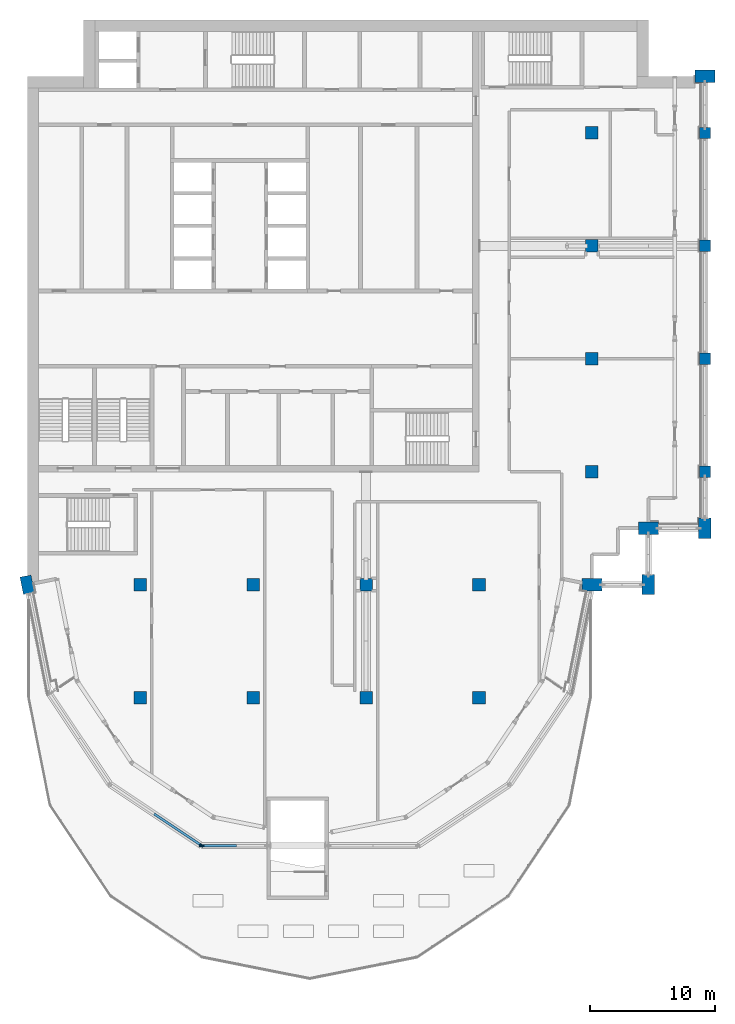
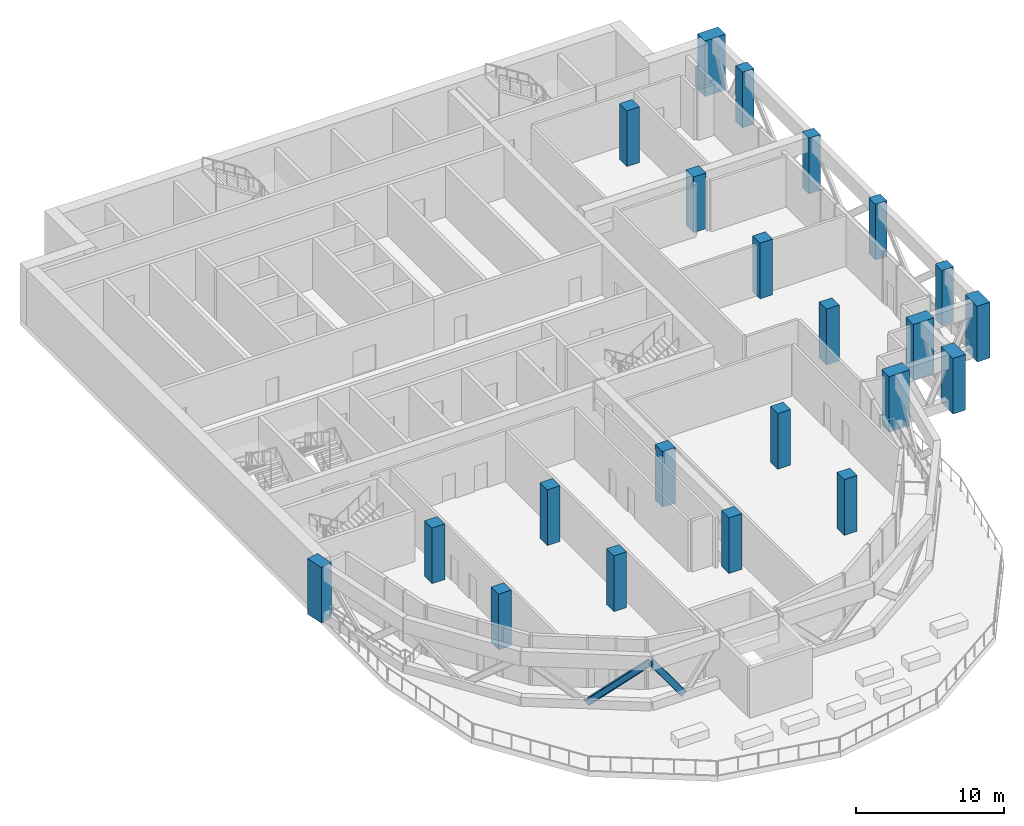
# One storey, part 1 of 18: 22 columns, 2 members.
"""IFC4 building model written with IfcOpenShell, lengths in metres."""

from ifc_helpers import new_model, si_unit, direction, frame, origin, origin_2d, place, context, subcontext, project, spatial, rectangle, i_section, extrude, material, material_profile, profile_set, type_object, element, save


model = new_model("IFC4")

# Units and contexts
model_context = context("Model", 3, precision=1e-05, world=origin(), true_north=direction((0.0, 1.0)))
body_context = subcontext(model_context, "Body", "Model", "MODEL_VIEW")
ifc_project = project(units=[si_unit("LENGTHUNIT", "METRE"), si_unit("AREAUNIT", "SQUARE_METRE"), si_unit("VOLUMEUNIT", "CUBIC_METRE"), si_unit("PLANEANGLEUNIT", "RADIAN"), si_unit("MASSUNIT", "GRAM", prefix="KILO")], contexts=[model_context])

# Site, building, storey
site_placement = place(None, origin())
site = spatial("IfcSite", under=ifc_project, at=site_placement, CompositionType="ELEMENT")
building_placement = place(site_placement, origin())
building = spatial("IfcBuilding", under=site, at=building_placement, Name="Hunhe Ridgeline Campus", CompositionType="ELEMENT")
storey_placement = place(building_placement, frame((0.0, 0.0, 276.199951171875)))
storey = spatial("IfcBuildingStorey", under=building, at=storey_placement, Name="L71", CompositionType="ELEMENT", Elevation=276.199951171875)

# Columns
ifc_material_1 = material(Name="Concrete C50", Category="concrete")
ifc_material_profile_1 = material_profile(ifc_material_1, rectangle(XDim=1.39990234375, YDim=0.89990234375, at=origin_2d()))
ifc_profile_set_1 = profile_set([ifc_material_profile_1], Name="Concrete C50")
column_type_1 = type_object("IfcColumnType", Name="Megacolumn 1400x900 Concrete C50", PredefinedType="COLUMN", material=ifc_profile_set_1)
column_placement = place(storey_placement, frame((0.0, 54.0, 0.0), z_axis=(0.0, 0.0, 1.0), x_axis=(-0.195090322016, 0.980785280403, 0.0)))
element("IfcColumn", 1, at=column_placement, inside=storey, type_object=column_type_1, Name="Column C16 G1 L71", PredefinedType="COLUMN", context=body_context, shape_type="SweptSolid", body=[
    extrude(rectangle(XDim=1.39990234375, YDim=0.89990234375, at=origin_2d()), origin(), (0.0, 0.0, 1.0), 4.60009765625),
])
ifc_material_2 = material(Name="Concrete C60", Category="concrete")
ifc_material_profile_2 = material_profile(ifc_material_2, rectangle(XDim=1.60009765625, YDim=1.0, at=origin_2d()))
ifc_profile_set_2 = profile_set([ifc_material_profile_2], Name="Concrete C60")
column_type_2 = type_object("IfcColumnType", Name="Megacolumn 1600x1000 Concrete C60", PredefinedType="COLUMN", material=ifc_profile_set_2)
for number, where, z_axis, x_axis, name in (
    (2, (45.0, 54.0, 0.0), (0.0, 0.0, 1.0), (1.0, 0.0, 0.0), "Column C14 G6 L71"),
    (3, (49.5, 54.0, 0.0), (0.0, 0.0, 1.0), (0.0, 1.0, 0.0), "Column C14 R29 L71"),
    (4, (49.5, 58.5, 0.0), (0.0, 0.0, 1.0), (1.0, 0.0, 0.0), "Column C14 R33 L71"),
    (5, (54.0, 58.5, 0.0), (0.0, 0.0, 1.0), (0.0, 1.0, 0.0), "Column C14 R34 L71"),
    (6, (54.0, 94.5, 0.0), (0.0, 0.0, 1.0), (1.0, 0.0, 0.0), "Column C14 R41 L71"),
):
    element("IfcColumn", number, at=place(storey_placement, frame(where, z_axis=z_axis, x_axis=x_axis)), inside=storey, type_object=column_type_2, Name=name, PredefinedType="COLUMN", context=body_context, shape_type="SweptSolid", body=[
        extrude(rectangle(XDim=1.60009765625, YDim=1.0, at=origin_2d()), origin(), (0.0, 0.0, 1.0), 4.60009765625),
    ])
ifc_material_profile_3 = material_profile(ifc_material_2, rectangle(XDim=1.0, YDim=1.0, at=origin_2d()))
ifc_profile_set_3 = profile_set([ifc_material_profile_3], Name="Concrete C60")
column_type_3 = type_object("IfcColumnType", Name="RC column 1000x1000 Concrete C60", PredefinedType="COLUMN", material=ifc_profile_set_3)
for number, where, z_axis, x_axis, name in (
    (7, (9.0, 45.0, 0.0), (0.0, 0.0, 1.0), (1.0, 0.0, 0.0), "Column C12 F2 L71"),
    (8, (9.0, 54.0, 0.0), (0.0, 0.0, 1.0), (1.0, 0.0, 0.0), "Column C12 G2 L71"),
    (9, (18.0, 45.0, 0.0), (0.0, 0.0, 1.0), (1.0, 0.0, 0.0), "Column C12 F3 L71"),
    (10, (18.0, 54.0, 0.0), (0.0, 0.0, 1.0), (1.0, 0.0, 0.0), "Column C12 G3 L71"),
    (11, (27.0, 45.0, 0.0), (0.0, 0.0, 1.0), (1.0, 0.0, 0.0), "Column C12 F4 L71"),
    (12, (27.0, 54.0, 0.0), (0.0, 0.0, 1.0), (1.0, 0.0, 0.0), "Column C12 G4 L71"),
    (13, (36.0, 45.0, 0.0), (0.0, 0.0, 1.0), (1.0, 0.0, 0.0), "Column C12 F5 L71"),
    (14, (36.0, 54.0, 0.0), (0.0, 0.0, 1.0), (1.0, 0.0, 0.0), "Column C12 G5 L71"),
    (15, (45.0, 63.0, 0.0), (0.0, 0.0, 1.0), (1.0, 0.0, 0.0), "Column C12 H6 L71"),
    (16, (45.0, 72.0, 0.0), (0.0, 0.0, 1.0), (1.0, 0.0, 0.0), "Column C12 I6 L71"),
    (17, (45.0, 81.0, 0.0), (0.0, 0.0, 1.0), (1.0, 0.0, 0.0), "Column C12 J6 L71"),
    (18, (45.0, 90.0, 0.0), (0.0, 0.0, 1.0), (1.0, 0.0, 0.0), "Column C12 K6 L71"),
):
    element("IfcColumn", number, at=place(storey_placement, frame(where, z_axis=z_axis, x_axis=x_axis)), inside=storey, type_object=column_type_3, Name=name, PredefinedType="COLUMN", context=body_context, shape_type="SweptSolid", body=[
        extrude(rectangle(XDim=1.0, YDim=1.0, at=origin_2d()), origin(), (0.0, 0.0, 1.0), 4.60009765625),
    ])
ifc_material_profile_4 = material_profile(ifc_material_2, rectangle(XDim=0.89990234375, YDim=0.89990234375, at=origin_2d()))
ifc_profile_set_4 = profile_set([ifc_material_profile_4], Name="Concrete C60")
column_type_4 = type_object("IfcColumnType", Name="RC column 900x900 Concrete C60", PredefinedType="COLUMN", material=ifc_profile_set_4)
for number, where, z_axis, x_axis, name in (
    (19, (54.0, 63.0, 0.0), (0.0, 0.0, 1.0), (1.0, 0.0, 0.0), "Column C15 H7 L71"),
    (20, (54.0, 72.0, 0.0), (0.0, 0.0, 1.0), (1.0, 0.0, 0.0), "Column C15 I7 L71"),
    (21, (54.0, 81.0, 0.0), (0.0, 0.0, 1.0), (1.0, 0.0, 0.0), "Column C15 J7 L71"),
    (22, (54.0, 90.0, 0.0), (0.0, 0.0, 1.0), (1.0, 0.0, 0.0), "Column C15 K7 L71"),
):
    element("IfcColumn", number, at=place(storey_placement, frame(where, z_axis=z_axis, x_axis=x_axis)), inside=storey, type_object=column_type_4, Name=name, PredefinedType="COLUMN", context=body_context, shape_type="SweptSolid", body=[
        extrude(rectangle(XDim=0.89990234375, YDim=0.89990234375, at=origin_2d()), origin(), (0.0, 0.0, 1.0), 4.60009765625),
    ])

# Members
ifc_material_3 = material(Name="Steel Q420", Category="steel")
ifc_material_profile_5 = material_profile(ifc_material_3, i_section(OverallWidth=0.199951171875, OverallDepth=0.5, WebThickness=0.010009765625, FlangeThickness=0.01611328125, FilletRadius=0.02001953125, at=origin_2d()))
ifc_profile_set_5 = profile_set([ifc_material_profile_5], Name="Steel Q420")
member_type = type_object("IfcMemberType", Name="Belt truss diagonal HN500x200x10x16 Steel Q420", PredefinedType="BRACE", material=ifc_profile_set_5)
member_1_placement = place(storey_placement, frame((10.23974609375, 35.6513671875, 0.400146484375), z_axis=(0.642930388216, -0.429580712233, 0.634114285903), x_axis=(0.555559826862, 0.831476565381, 0.0)))
element("IfcMember", 23, at=member_1_placement, inside=storey, type_object=member_type, Name="Belt truss BT1 diagonal L71 12", PredefinedType="BRACE", context=body_context, shape_type="SweptSolid", body=[
    extrude(i_section(OverallWidth=0.199951171875, OverallDepth=0.5, WebThickness=0.010009765625, FlangeThickness=0.01611328125, FilletRadius=0.02001953125, at=origin_2d()), origin(), (0.0, 0.0, 1.0), 5.677001953125),
])
member_2_placement = place(storey_placement, frame((13.8896484375, 33.212646484375, 4.0), z_axis=(0.585520663351, 0.0, -0.810657481794), x_axis=(0.0, 1.0, 0.0)))
element("IfcMember", 24, at=member_2_placement, inside=storey, type_object=member_type, Name="Belt truss BT1 diagonal L71 15", PredefinedType="BRACE", context=body_context, shape_type="SweptSolid", body=[
    extrude(i_section(OverallWidth=0.199951171875, OverallDepth=0.5, WebThickness=0.010009765625, FlangeThickness=0.01611328125, FilletRadius=0.02001953125, at=origin_2d()), origin(), (0.0, 0.0, 1.0), 4.440673828125),
])

save(model, "model.ifc")
